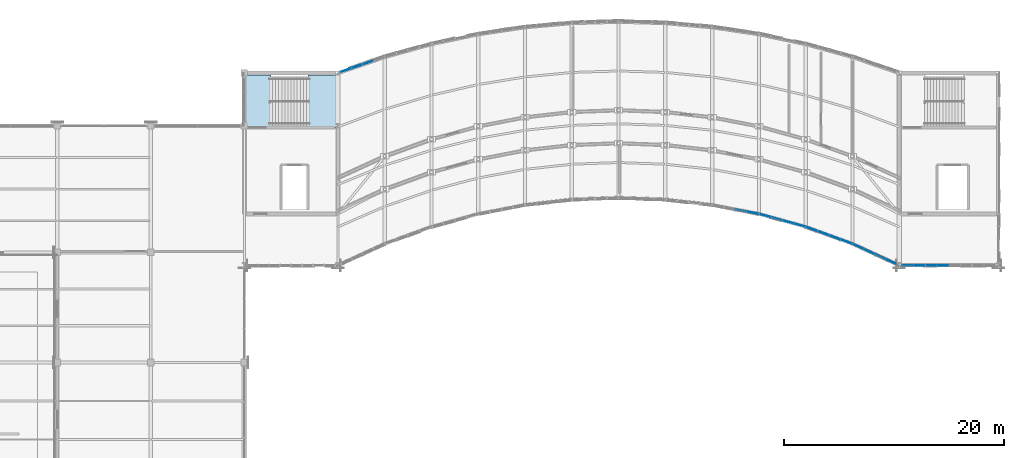
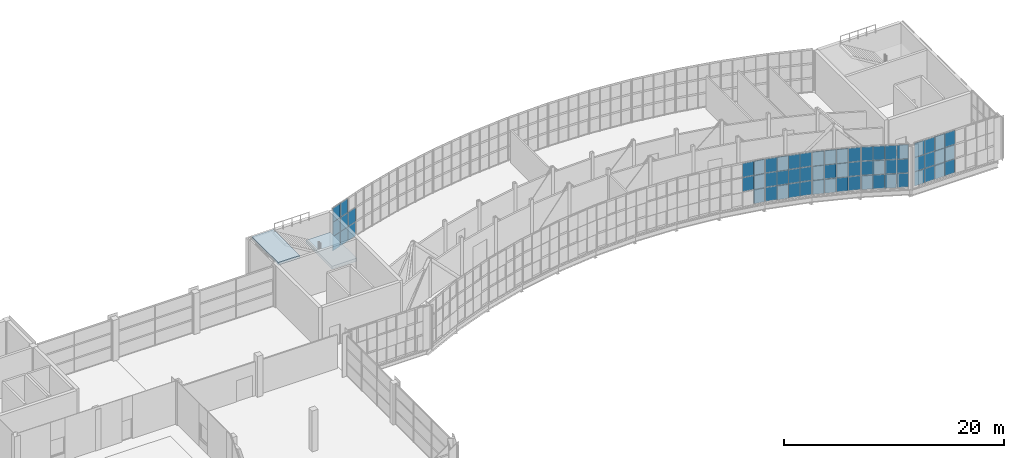
# One storey, part 36 of 46: 61 plates, 2 slabs, 7 elements without a shape of their own.
"""IFC4 building model written with IfcOpenShell, lengths in metres."""

import ifcopenshell
import ifcopenshell.guid

model = None  # the IFC model being written
_history = None  # IfcOwnerHistory: only IFC2X3 demands one
_inside = {}  # id of a spatial element -> (the spatial element, [elements in it])
_under = {}  # id of a project, library or spatial element -> (it, [spatial elements below it])
_declared = {}  # id of a project -> (the project, [libraries it declares])
_typed = {}  # id of a type object -> (the type object, [elements of that type])
_made_of = {}  # id of a material, layer set ... -> (it, [elements and type objects made of it])


def new_model(schema):
    """Start an empty IFC model of exactly this schema.

    Asked for "IFC4X3", IfcOpenShell would pick the latest addendum, in which some entities
    have other attributes; the version numbers below select the first issue.
    IFC2X3 requires an IfcOwnerHistory on every rooted entity: one is made here for all.
    """
    global model, _history
    if schema == "IFC4X3":
        model = ifcopenshell.file(schema_version=(4, 3, 0, 0))
    else:
        model = ifcopenshell.file(schema=schema)
    _inside.clear()
    _under.clear()
    _declared.clear()
    _typed.clear()
    _made_of.clear()
    _history = None
    if model.schema == "IFC2X3":
        org = make("IfcOrganization", Name="unknown")
        user = make(
            "IfcPersonAndOrganization",
            ThePerson=make("IfcPerson", FamilyName="unknown"),
            TheOrganization=org,
        )
        app = make(
            "IfcApplication",
            ApplicationDeveloper=org,
            Version="unknown",
            ApplicationFullName="unknown",
            ApplicationIdentifier="unknown",
        )
        _history = make(
            "IfcOwnerHistory",
            OwningUser=user,
            OwningApplication=app,
            ChangeAction="ADDED",
            CreationDate=0,
        )
    return model


def make(cls, **values):
    """One entity of the class cls with the attributes given. An attribute that is None is left unset."""
    return model.create_entity(
        cls, **{name: value for name, value in values.items() if value is not None}
    )


def rooted(cls, **values):
    """An entity with a GlobalId (a new one), such as an element, a storey or a relation."""
    return make(cls, GlobalId=ifcopenshell.guid.new(), OwnerHistory=_history, **values)


def si_unit(unit_type, name, prefix=None):
    """IfcSIUnit, for example si_unit("LENGTHUNIT", "METRE", prefix="MILLI")."""
    return make("IfcSIUnit", UnitType=unit_type, Prefix=prefix, Name=name)


def assignment(units):
    """IfcUnitAssignment: the units of a project."""
    return None if units is None else make("IfcUnitAssignment", Units=units)


def point(xyz):
    """IfcCartesianPoint."""
    return None if xyz is None else make("IfcCartesianPoint", Coordinates=xyz)


def direction(xyz):
    """IfcDirection."""
    return None if xyz is None else make("IfcDirection", DirectionRatios=xyz)


def frame(location, z_axis=None, x_axis=None):
    """IfcAxis2Placement3D, a coordinate frame: its origin and axes. An axis left out is left unset."""
    return make(
        "IfcAxis2Placement3D",
        Location=point(location),
        Axis=direction(z_axis),
        RefDirection=direction(x_axis),
    )


def frame_2d(location, x_axis=None):
    """IfcAxis2Placement2D, a coordinate frame in the plane: its origin and x axis."""
    return make(
        "IfcAxis2Placement2D", Location=point(location), RefDirection=direction(x_axis)
    )


def origin():
    """The frame at (0, 0, 0) with its axes left unset."""
    return frame((0.0, 0.0, 0.0))


def origin_2d():
    """The frame at (0, 0) in the plane with its x axis left unset."""
    return frame_2d((0.0, 0.0))


def place(relative_to, where):
    """IfcLocalPlacement: puts the frame where relative to a parent placement (None: the world)."""
    return make(
        "IfcLocalPlacement", PlacementRelTo=relative_to, RelativePlacement=where
    )


def context(
    kind, dimensions, precision=None, world=None, true_north=None, identifier=None
):
    """IfcGeometricRepresentationContext, for example the 3D "Model" context."""
    return make(
        "IfcGeometricRepresentationContext",
        ContextIdentifier=identifier,
        ContextType=kind,
        CoordinateSpaceDimension=dimensions,
        Precision=precision,
        WorldCoordinateSystem=world,
        TrueNorth=true_north,
    )


def subcontext(parent, identifier, kind, view, scale=None):
    """IfcGeometricRepresentationSubContext, for example "Body" below "Model"."""
    return make(
        "IfcGeometricRepresentationSubContext",
        ContextIdentifier=identifier,
        ContextType=kind,
        ParentContext=parent,
        TargetScale=scale,
        TargetView=view,
    )


def project(units=None, contexts=None):
    """IfcProject with its units and contexts."""
    return rooted(
        "IfcProject",
        Name="project",
        RepresentationContexts=contexts,
        UnitsInContext=assignment(units),
    )


def spatial(cls, under=None, at=None, **own):
    """A site, building, storey or space (cls), placed at a placement, below another one or the project."""
    s = rooted(cls, ObjectPlacement=at, **own)
    if under is not None:
        _under.setdefault(under.id(), (under, []))[1].append(s)
    return s


def polyline(points):
    """IfcPolyline through the points."""
    return make("IfcPolyline", Points=[point(p) for p in points])


def profile(cls, at=None, kind="AREA", **sizes):
    """A parametric profile (cls). Its sizes go by their IFC names, for example OverallWidth=200.0."""
    return make(cls, ProfileType=kind, Position=at, **sizes)


def rectangle(**sizes):
    """IfcRectangleProfileDef."""
    return profile("IfcRectangleProfileDef", **sizes)


def outline(outer, holes=None, kind="AREA"):
    """IfcArbitraryClosedProfileDef: a profile drawn as a closed curve; with holes, ...WithVoids."""
    if holes is None:
        return make("IfcArbitraryClosedProfileDef", ProfileType=kind, OuterCurve=outer)
    return make(
        "IfcArbitraryProfileDefWithVoids",
        ProfileType=kind,
        OuterCurve=outer,
        InnerCurves=holes,
    )


def extrude(swept, where, along, depth):
    """IfcExtrudedAreaSolid: the profile swept, set in the frame where, extruded along a direction by depth."""
    return make(
        "IfcExtrudedAreaSolid",
        SweptArea=swept,
        Position=where,
        ExtrudedDirection=direction(along),
        Depth=depth,
    )


def shape(context_of_items, identifier, shape_type, items):
    """IfcShapeRepresentation: the items that make up one representation, for example the "Body"."""
    return make(
        "IfcShapeRepresentation",
        ContextOfItems=context_of_items,
        RepresentationIdentifier=identifier,
        RepresentationType=shape_type,
        Items=items,
    )


def material(Name=None, Category=None):
    """IfcMaterial."""
    return make("IfcMaterial", Name=Name, Category=Category)


def layer(
    of_material, thickness, ventilated=None, Name=None, Category=None, Priority=None
):
    """IfcMaterialLayer: one layer of a wall or slab, of a material (None: an air gap)."""
    return make(
        "IfcMaterialLayer",
        Material=of_material,
        LayerThickness=thickness,
        IsVentilated=ventilated,
        Name=Name,
        Category=Category,
        Priority=Priority,
    )


def layer_set(layers, Name=None):
    """IfcMaterialLayerSet."""
    return make("IfcMaterialLayerSet", MaterialLayers=layers, LayerSetName=Name)


def made_of(thing, what):
    """Note that an element or type object is made of a material, layer set ...; save() writes the relation."""
    if what is not None:
        _made_of.setdefault(what.id(), (what, []))[1].append(thing)
    return thing


def type_object(cls, material=None, **own):
    """A type object (cls), such as IfcWallType, which elements share."""
    return made_of(rooted(cls, **own), material)


def element(
    cls,
    number,
    at=None,
    inside=None,
    cuts=None,
    type_object=None,
    material=None,
    context=None,
    identifier="Body",
    shape_type=None,
    held_by="IfcProductDefinitionShape",
    body=None,
    shapes=None,
    **own,
):
    """One element of the class cls, such as IfcWall. Its Tag is "e" and its number.

    at: its placement. inside: the storey or other place that contains it. cuts: it is an
    opening in that element (IfcRelVoidsElement). A single representation is given by context,
    identifier, shape_type and body (its items); several are given by shapes. held_by: the class
    of the entity that holds the representations. save() writes the other relations.
    """
    e = rooted(cls, Tag="e%d" % number, ObjectPlacement=at, **own)
    if body is not None:
        shapes = [shape(context, identifier, shape_type, body)]
    if shapes is not None:
        e.Representation = make(held_by, Representations=shapes)
    if inside is not None:
        _inside.setdefault(inside.id(), (inside, []))[1].append(e)
    if cuts is not None:
        rooted(
            "IfcRelVoidsElement", RelatingBuildingElement=cuts, RelatedOpeningElement=e
        )
    if type_object is not None:
        _typed.setdefault(type_object.id(), (type_object, []))[1].append(e)
    return made_of(e, material)


def aggregate(whole, parts):
    """IfcRelAggregates: a whole, such as a stair, and the parts it consists of."""
    return rooted("IfcRelAggregates", RelatingObject=whole, RelatedObjects=parts)


def save(model, path):
    """Write the relations noted so far, then the file.

    IfcRelAggregates (storeys below a building ...), IfcRelContainedInSpatialStructure (elements
    in a storey), IfcRelDefinesByType, IfcRelAssociatesMaterial and IfcRelDeclares: one each for
    every whole, place, type object, material and project.
    """
    for whole, parts in _under.values():
        aggregate(whole, parts)
    for where, things in _inside.values():
        rooted(
            "IfcRelContainedInSpatialStructure",
            RelatedElements=things,
            RelatingStructure=where,
        )
    for kind, things in _typed.values():
        rooted("IfcRelDefinesByType", RelatedObjects=things, RelatingType=kind)
    for what, things in _made_of.values():
        rooted("IfcRelAssociatesMaterial", RelatedObjects=things, RelatingMaterial=what)
    for by, libraries in _declared.values():
        rooted("IfcRelDeclares", RelatingContext=by, RelatedDefinitions=libraries)
    model.write(path)


model = new_model("IFC4")

# Units and contexts
model_context = context("Model", 3, precision=1e-05, world=origin(), true_north=direction((0.0, 1.0)))
body_context = subcontext(model_context, "Body", "Model", "MODEL_VIEW")
ifc_project = project(units=[si_unit("LENGTHUNIT", "METRE"), si_unit("AREAUNIT", "SQUARE_METRE"), si_unit("VOLUMEUNIT", "CUBIC_METRE"), si_unit("PLANEANGLEUNIT", "RADIAN"), si_unit("MASSUNIT", "GRAM", prefix="KILO")], contexts=[model_context])

# Site, building, storey
site_placement = place(None, origin())
site = spatial("IfcSite", under=ifc_project, at=site_placement, CompositionType="ELEMENT")
building_placement = place(site_placement, origin())
building = spatial("IfcBuilding", under=site, at=building_placement, Name="Solvikara Media Centre", CompositionType="ELEMENT")
storey_placement = place(building_placement, frame((0.0, 0.0, 24.60009765625)))
storey = spatial("IfcBuildingStorey", under=building, at=storey_placement, Name="L05", CompositionType="ELEMENT", Elevation=24.60009765625)

# Curtain wall, plates
ifc_material_1 = material(Name="Anodised aluminium EN AW-6063", Category="aluminium")
curtain_wall_type_1 = type_object("IfcCurtainWallType", Name="CW-01", PredefinedType="NOTDEFINED", material=ifc_material_1)
curtain_wall_1_placement = place(storey_placement, origin())
curtain_wall_1 = element("IfcCurtainWall", 1, at=curtain_wall_1_placement, inside=storey, type_object=curtain_wall_type_1, Name="CW-L05-SARC-08", PredefinedType="NOTDEFINED")
ifc_material_2 = material(Name="Laminated solar-control cyan vision glass", Category="glass")
ifc_layer_1 = layer(ifc_material_2, 0.035888671875)
ifc_layer_set_1 = layer_set([ifc_layer_1], Name="Laminated solar-control cyan vision glass")
plate_type_1 = type_object("IfcPlateType", Name="PN-01", PredefinedType="CURTAIN_PANEL", material=ifc_layer_set_1)
plate_1_placement = place(storey_placement, frame((114.193115234375, 24.10400390625, 0.03466796875), z_axis=(0.0, 0.0, 1.0), x_axis=(0.981843017659, -0.189695252114, 0.0)))
plate_1 = element("IfcPlate", 2, at=plate_1_placement, type_object=plate_type_1, Name="CW-L05-SARC-08-P0300", PredefinedType="CURTAIN_PANEL", context=body_context, shape_type="SweptSolid", body=[
    extrude(rectangle(XDim=1.034912109375, YDim=0.035888671875, at=origin_2d()), origin(), (0.0, 0.0, 1.0), 1.556884765625),
])
plate_2_placement = place(storey_placement, frame((114.193115234375, 24.10400390625, 1.62158203125), z_axis=(0.0, 0.0, 1.0), x_axis=(0.981843017659, -0.189695252114, 0.0)))
plate_2 = element("IfcPlate", 3, at=plate_2_placement, type_object=plate_type_1, Name="CW-L05-SARC-08-P0301", PredefinedType="CURTAIN_PANEL", context=body_context, shape_type="SweptSolid", body=[
    extrude(rectangle(XDim=1.034912109375, YDim=0.035888671875, at=origin_2d()), origin(), (0.0, 0.0, 1.0), 1.556884765625),
])
plate_3_placement = place(storey_placement, frame((114.193115234375, 24.10400390625, 3.20849609375), z_axis=(0.0, 0.0, 1.0), x_axis=(0.981843017659, -0.189695252114, 0.0)))
plate_3 = element("IfcPlate", 4, at=plate_3_placement, type_object=plate_type_1, Name="CW-L05-SARC-08-P0302", PredefinedType="CURTAIN_PANEL", context=body_context, shape_type="SweptSolid", body=[
    extrude(rectangle(XDim=1.034912109375, YDim=0.035888671875, at=origin_2d()), origin(), (0.0, 0.0, 1.0), 1.556884765625),
])

curtain_wall_2_placement = place(storey_placement, origin())
curtain_wall_2 = element("IfcCurtainWall", 5, at=curtain_wall_2_placement, inside=storey, type_object=curtain_wall_type_1, Name="CW-L05-SARC-09", PredefinedType="NOTDEFINED")
plate_4_placement = place(storey_placement, frame((115.305908203125, 23.843017578125, 0.03466796875), z_axis=(0.0, 0.0, 1.0), x_axis=(0.96397015682, -0.26601040724, 0.0)))
plate_4 = element("IfcPlate", 6, at=plate_4_placement, type_object=plate_type_1, Name="CW-L05-SARC-09-P0000", PredefinedType="CURTAIN_PANEL", context=body_context, shape_type="SweptSolid", body=[
    extrude(rectangle(XDim=1.054931640625, YDim=0.035888671875, at=origin_2d()), origin(), (0.0, 0.0, 1.0), 1.556884765625),
])
plate_5_placement = place(storey_placement, frame((118.443115234375, 22.97705078125, 0.03466796875), z_axis=(0.0, 0.0, 1.0), x_axis=(0.96397015682, -0.26601040724, 0.0)))
plate_5 = element("IfcPlate", 7, at=plate_5_placement, type_object=plate_type_1, Name="CW-L05-SARC-09-P0300", PredefinedType="CURTAIN_PANEL", context=body_context, shape_type="SweptSolid", body=[
    extrude(rectangle(XDim=1.054931640625, YDim=0.035888671875, at=origin_2d()), origin(), (0.0, 0.0, 1.0), 1.556884765625),
])
plate_6_placement = place(storey_placement, frame((118.443115234375, 22.97705078125, 3.20849609375), z_axis=(0.0, 0.0, 1.0), x_axis=(0.96397015682, -0.26601040724, 0.0)))
plate_6 = element("IfcPlate", 8, at=plate_6_placement, type_object=plate_type_1, Name="CW-L05-SARC-09-P0302", PredefinedType="CURTAIN_PANEL", context=body_context, shape_type="SweptSolid", body=[
    extrude(rectangle(XDim=1.054931640625, YDim=0.035888671875, at=origin_2d()), origin(), (0.0, 0.0, 1.0), 1.556884765625),
])

curtain_wall_3_placement = place(storey_placement, origin())
curtain_wall_3 = element("IfcCurtainWall", 9, at=curtain_wall_3_placement, inside=storey, type_object=curtain_wall_type_1, Name="CW-L05-SARC-10", PredefinedType="NOTDEFINED")
plate_7_placement = place(storey_placement, frame((119.555908203125, 22.6220703125, 0.03466796875), z_axis=(0.0, 0.0, 1.0), x_axis=(0.939823877818, -0.341659302058, 0.0)))
plate_7 = element("IfcPlate", 10, at=plate_7_placement, type_object=plate_type_1, Name="CW-L05-SARC-10-P0000", PredefinedType="CURTAIN_PANEL", context=body_context, shape_type="SweptSolid", body=[
    extrude(rectangle(XDim=1.0830078125, YDim=0.035888671875, at=origin_2d()), origin(), (0.0, 0.0, 1.0), 1.556884765625),
])
plate_8_placement = place(storey_placement, frame((120.60205078125, 22.241943359375, 0.03466796875), z_axis=(0.0, 0.0, 1.0), x_axis=(0.939823877818, -0.341659302058, 0.0)))
plate_8 = element("IfcPlate", 11, at=plate_8_placement, type_object=plate_type_1, Name="CW-L05-SARC-10-P0100", PredefinedType="CURTAIN_PANEL", context=body_context, shape_type="SweptSolid", body=[
    extrude(rectangle(XDim=1.0830078125, YDim=0.035888671875, at=origin_2d()), origin(), (0.0, 0.0, 1.0), 1.556884765625),
])
plate_9_placement = place(storey_placement, frame((121.64794921875, 21.862060546875, 1.62158203125), z_axis=(0.0, 0.0, 1.0), x_axis=(0.939823877818, -0.341659302058, 0.0)))
plate_9 = element("IfcPlate", 12, at=plate_9_placement, type_object=plate_type_1, Name="CW-L05-SARC-10-P0201", PredefinedType="CURTAIN_PANEL", context=body_context, shape_type="SweptSolid", body=[
    extrude(rectangle(XDim=1.0830078125, YDim=0.035888671875, at=origin_2d()), origin(), (0.0, 0.0, 1.0), 1.556884765625),
])
plate_10_placement = place(storey_placement, frame((122.694091796875, 21.48095703125, 3.20849609375), z_axis=(0.0, 0.0, 1.0), x_axis=(0.939823877818, -0.341659302058, 0.0)))
plate_10 = element("IfcPlate", 13, at=plate_10_placement, type_object=plate_type_1, Name="CW-L05-SARC-10-P0302", PredefinedType="CURTAIN_PANEL", context=body_context, shape_type="SweptSolid", body=[
    extrude(rectangle(XDim=1.0830078125, YDim=0.035888671875, at=origin_2d()), origin(), (0.0, 0.0, 1.0), 1.556884765625),
])

curtain_wall_4_placement = place(storey_placement, origin())
curtain_wall_4 = element("IfcCurtainWall", 14, at=curtain_wall_4_placement, inside=storey, type_object=curtain_wall_type_1, Name="CW-L05-SARC-11", PredefinedType="NOTDEFINED")
plate_11_placement = place(storey_placement, frame((123.77294921875, 21.0380859375, 1.62158203125), z_axis=(0.0, 0.0, 1.0), x_axis=(0.908464413608, -0.417962210264, 0.0)))
plate_11 = element("IfcPlate", 15, at=plate_11_placement, type_object=plate_type_1, Name="CW-L05-SARC-11-P0001", PredefinedType="CURTAIN_PANEL", context=body_context, shape_type="SweptSolid", body=[
    extrude(rectangle(XDim=1.052001953125, YDim=0.035888671875, at=origin_2d()), origin(), (0.0, 0.0, 1.0), 1.556884765625),
])
plate_12_placement = place(storey_placement, frame((123.77294921875, 21.0380859375, 3.20849609375), z_axis=(0.0, 0.0, 1.0), x_axis=(0.908464413608, -0.417962210264, 0.0)))
plate_12 = element("IfcPlate", 16, at=plate_12_placement, type_object=plate_type_1, Name="CW-L05-SARC-11-P0002", PredefinedType="CURTAIN_PANEL", context=body_context, shape_type="SweptSolid", body=[
    extrude(rectangle(XDim=1.052001953125, YDim=0.035888671875, at=origin_2d()), origin(), (0.0, 0.0, 1.0), 1.556884765625),
])
plate_13_placement = place(storey_placement, frame((124.756103515625, 20.5859375, 1.62158203125), z_axis=(0.0, 0.0, 1.0), x_axis=(0.908464413608, -0.417962210264, 0.0)))
plate_13 = element("IfcPlate", 17, at=plate_13_placement, type_object=plate_type_1, Name="CW-L05-SARC-11-P0101", PredefinedType="CURTAIN_PANEL", context=body_context, shape_type="SweptSolid", body=[
    extrude(rectangle(XDim=1.052001953125, YDim=0.035888671875, at=origin_2d()), origin(), (0.0, 0.0, 1.0), 1.556884765625),
])
plate_14_placement = place(storey_placement, frame((124.756103515625, 20.5859375, 3.20849609375), z_axis=(0.0, 0.0, 1.0), x_axis=(0.908464413608, -0.417962210264, 0.0)))
plate_14 = element("IfcPlate", 18, at=plate_14_placement, type_object=plate_type_1, Name="CW-L05-SARC-11-P0102", PredefinedType="CURTAIN_PANEL", context=body_context, shape_type="SweptSolid", body=[
    extrude(rectangle(XDim=1.052001953125, YDim=0.035888671875, at=origin_2d()), origin(), (0.0, 0.0, 1.0), 1.556884765625),
])
plate_15_placement = place(storey_placement, frame((126.721923828125, 19.680908203125, 0.03466796875), z_axis=(0.0, 0.0, 1.0), x_axis=(0.908464413608, -0.417962210264, 0.0)))
plate_15 = element("IfcPlate", 19, at=plate_15_placement, type_object=plate_type_1, Name="CW-L05-SARC-11-P0300", PredefinedType="CURTAIN_PANEL", context=body_context, shape_type="SweptSolid", body=[
    extrude(rectangle(XDim=1.052001953125, YDim=0.035888671875, at=origin_2d()), origin(), (0.0, 0.0, 1.0), 1.556884765625),
])
plate_16_placement = place(storey_placement, frame((126.721923828125, 19.680908203125, 3.20849609375), z_axis=(0.0, 0.0, 1.0), x_axis=(0.908464413608, -0.417962210264, 0.0)))
plate_16 = element("IfcPlate", 20, at=plate_16_placement, type_object=plate_type_1, Name="CW-L05-SARC-11-P0302", PredefinedType="CURTAIN_PANEL", context=body_context, shape_type="SweptSolid", body=[
    extrude(rectangle(XDim=1.052001953125, YDim=0.035888671875, at=origin_2d()), origin(), (0.0, 0.0, 1.0), 1.556884765625),
])

curtain_wall_type_2 = type_object("IfcCurtainWallType", Name="CW-02", PredefinedType="NOTDEFINED", material=ifc_material_1)
curtain_wall_5_placement = place(storey_placement, origin())
curtain_wall_5 = element("IfcCurtainWall", 21, at=curtain_wall_5_placement, inside=storey, type_object=curtain_wall_type_2, Name="CW-L05-NARC-00", PredefinedType="NOTDEFINED")
plate_17_placement = place(storey_placement, frame((77.243896484375, 37.055908203125, 3.20849609375), z_axis=(0.0, 0.0, 1.0), x_axis=(0.945711605144, 0.32500701515, 0.0)))
plate_17 = element("IfcPlate", 22, at=plate_17_placement, type_object=plate_type_1, Name="CW-L05-NARC-00-P0002", PredefinedType="CURTAIN_PANEL", context=body_context, shape_type="SweptSolid", body=[
    extrude(rectangle(XDim=1.01904296875, YDim=0.035888671875, at=origin_2d()), origin(), (0.0, 0.0, 1.0), 1.556884765625),
])
plate_18_placement = place(storey_placement, frame((78.237060546875, 37.39697265625, 3.20849609375), z_axis=(0.0, 0.0, 1.0), x_axis=(0.945711605144, 0.32500701515, 0.0)))
plate_18 = element("IfcPlate", 23, at=plate_18_placement, type_object=plate_type_1, Name="CW-L05-NARC-00-P0102", PredefinedType="CURTAIN_PANEL", context=body_context, shape_type="SweptSolid", body=[
    extrude(rectangle(XDim=1.01904296875, YDim=0.035888671875, at=origin_2d()), origin(), (0.0, 0.0, 1.0), 1.556884765625),
])
plate_19_placement = place(storey_placement, frame((79.22900390625, 37.737060546875, 0.03466796875), z_axis=(0.0, 0.0, 1.0), x_axis=(0.945711605144, 0.32500701515, 0.0)))
plate_19 = element("IfcPlate", 24, at=plate_19_placement, type_object=plate_type_1, Name="CW-L05-NARC-00-P0200", PredefinedType="CURTAIN_PANEL", context=body_context, shape_type="SweptSolid", body=[
    extrude(rectangle(XDim=1.01904296875, YDim=0.035888671875, at=origin_2d()), origin(), (0.0, 0.0, 1.0), 1.556884765625),
])

curtain_wall_type_3 = type_object("IfcCurtainWallType", Name="CW-10", PredefinedType="NOTDEFINED", material=ifc_material_1)
curtain_wall_6_placement = place(storey_placement, origin())
curtain_wall_6 = element("IfcCurtainWall", 25, at=curtain_wall_6_placement, inside=storey, type_object=curtain_wall_type_3, Name="CW-L05-BHES", PredefinedType="NOTDEFINED")
plate_20_placement = place(storey_placement, frame((129.339111328125, 19.323974609375, 0.03466796875), z_axis=(0.0, 0.0, 1.0), x_axis=(1.0, 0.0, 0.0)))
plate_20 = element("IfcPlate", 26, at=plate_20_placement, type_object=plate_type_1, Name="CW-L05-BHES-P0100", PredefinedType="CURTAIN_PANEL", context=body_context, shape_type="SweptSolid", body=[
    extrude(rectangle(XDim=1.033935546875, YDim=0.035888671875, at=origin_2d()), origin(), (0.0, 0.0, 1.0), 1.556884765625),
])
plate_21_placement = place(storey_placement, frame((129.339111328125, 19.323974609375, 1.62158203125), z_axis=(0.0, 0.0, 1.0), x_axis=(1.0, 0.0, 0.0)))
plate_21 = element("IfcPlate", 27, at=plate_21_placement, type_object=plate_type_1, Name="CW-L05-BHES-P0101", PredefinedType="CURTAIN_PANEL", context=body_context, shape_type="SweptSolid", body=[
    extrude(rectangle(XDim=1.033935546875, YDim=0.035888671875, at=origin_2d()), origin(), (0.0, 0.0, 1.0), 1.556884765625),
])
plate_22_placement = place(storey_placement, frame((130.403076171875, 19.323974609375, 0.03466796875), z_axis=(0.0, 0.0, 1.0), x_axis=(1.0, 0.0, 0.0)))
plate_22 = element("IfcPlate", 28, at=plate_22_placement, type_object=plate_type_1, Name="CW-L05-BHES-P0200", PredefinedType="CURTAIN_PANEL", context=body_context, shape_type="SweptSolid", body=[
    extrude(rectangle(XDim=1.033935546875, YDim=0.035888671875, at=origin_2d()), origin(), (0.0, 0.0, 1.0), 1.556884765625),
])
plate_23_placement = place(storey_placement, frame((130.403076171875, 19.323974609375, 1.62158203125), z_axis=(0.0, 0.0, 1.0), x_axis=(1.0, 0.0, 0.0)))
plate_23 = element("IfcPlate", 29, at=plate_23_placement, type_object=plate_type_1, Name="CW-L05-BHES-P0201", PredefinedType="CURTAIN_PANEL", context=body_context, shape_type="SweptSolid", body=[
    extrude(rectangle(XDim=1.033935546875, YDim=0.035888671875, at=origin_2d()), origin(), (0.0, 0.0, 1.0), 1.556884765625),
])
plate_24_placement = place(storey_placement, frame((131.467041015625, 19.323974609375, 1.62158203125), z_axis=(0.0, 0.0, 1.0), x_axis=(1.0, 0.0, 0.0)))
plate_24 = element("IfcPlate", 30, at=plate_24_placement, type_object=plate_type_1, Name="CW-L05-BHES-P0301", PredefinedType="CURTAIN_PANEL", context=body_context, shape_type="SweptSolid", body=[
    extrude(rectangle(XDim=1.033935546875, YDim=0.035888671875, at=origin_2d()), origin(), (0.0, 0.0, 1.0), 1.556884765625),
])

# Plate
ifc_material_3 = material(Name="Ceramic-fritted teal low-E glass", Category="glass")
ifc_layer_2 = layer(ifc_material_3, 0.0419921875)
ifc_layer_set_2 = layer_set([ifc_layer_2], Name="Ceramic-fritted teal low-E glass")
plate_type_2 = type_object("IfcPlateType", Name="PN-02", PredefinedType="CURTAIN_PANEL", material=ifc_layer_set_2)
plate_25_placement = place(storey_placement, frame((113.14794921875, 24.305908203125, 1.62158203125), z_axis=(0.0, 0.0, 1.0), x_axis=(0.981843017659, -0.189695252114, 0.0)))
plate_25 = element("IfcPlate", 31, at=plate_25_placement, type_object=plate_type_2, Name="CW-L05-SARC-08-P0201", PredefinedType="CURTAIN_PANEL", context=body_context, shape_type="SweptSolid", body=[
    extrude(rectangle(XDim=1.034912109375, YDim=0.0419921875, at=origin_2d()), origin(), (0.0, 0.0, 1.0), 1.556884765625),
])

plate_26_placement = place(storey_placement, frame((113.14794921875, 24.305908203125, 3.20849609375), z_axis=(0.0, 0.0, 1.0), x_axis=(0.981843017659, -0.189695252114, 0.0)))
plate_26 = element("IfcPlate", 32, at=plate_26_placement, type_object=plate_type_2, Name="CW-L05-SARC-08-P0202", PredefinedType="CURTAIN_PANEL", context=body_context, shape_type="SweptSolid", body=[
    extrude(rectangle(XDim=1.034912109375, YDim=0.0419921875, at=origin_2d()), origin(), (0.0, 0.0, 1.0), 1.556884765625),
])

aggregate(curtain_wall_1, [plate_25, plate_26, plate_1, plate_2, plate_3])

plate_27_placement = place(storey_placement, frame((115.305908203125, 23.843017578125, 1.62158203125), z_axis=(0.0, 0.0, 1.0), x_axis=(0.96397015682, -0.26601040724, 0.0)))
plate_27 = element("IfcPlate", 33, at=plate_27_placement, type_object=plate_type_2, Name="CW-L05-SARC-09-P0001", PredefinedType="CURTAIN_PANEL", context=body_context, shape_type="SweptSolid", body=[
    extrude(rectangle(XDim=1.054931640625, YDim=0.0419921875, at=origin_2d()), origin(), (0.0, 0.0, 1.0), 1.556884765625),
])

plate_28_placement = place(storey_placement, frame((116.35205078125, 23.553955078125, 1.62158203125), z_axis=(0.0, 0.0, 1.0), x_axis=(0.96397015682, -0.26601040724, 0.0)))
plate_28 = element("IfcPlate", 34, at=plate_28_placement, type_object=plate_type_2, Name="CW-L05-SARC-09-P0101", PredefinedType="CURTAIN_PANEL", context=body_context, shape_type="SweptSolid", body=[
    extrude(rectangle(XDim=1.054931640625, YDim=0.0419921875, at=origin_2d()), origin(), (0.0, 0.0, 1.0), 1.556884765625),
])

plate_29_placement = place(storey_placement, frame((117.39697265625, 23.26611328125, 0.03466796875), z_axis=(0.0, 0.0, 1.0), x_axis=(0.96397015682, -0.26601040724, 0.0)))
plate_29 = element("IfcPlate", 35, at=plate_29_placement, type_object=plate_type_2, Name="CW-L05-SARC-09-P0200", PredefinedType="CURTAIN_PANEL", context=body_context, shape_type="SweptSolid", body=[
    extrude(rectangle(XDim=1.054931640625, YDim=0.0419921875, at=origin_2d()), origin(), (0.0, 0.0, 1.0), 1.556884765625),
])

plate_30_placement = place(storey_placement, frame((117.39697265625, 23.26611328125, 1.62158203125), z_axis=(0.0, 0.0, 1.0), x_axis=(0.96397015682, -0.26601040724, 0.0)))
plate_30 = element("IfcPlate", 36, at=plate_30_placement, type_object=plate_type_2, Name="CW-L05-SARC-09-P0201", PredefinedType="CURTAIN_PANEL", context=body_context, shape_type="SweptSolid", body=[
    extrude(rectangle(XDim=1.054931640625, YDim=0.0419921875, at=origin_2d()), origin(), (0.0, 0.0, 1.0), 1.556884765625),
])

plate_31_placement = place(storey_placement, frame((118.443115234375, 22.97705078125, 1.62158203125), z_axis=(0.0, 0.0, 1.0), x_axis=(0.96397015682, -0.26601040724, 0.0)))
plate_31 = element("IfcPlate", 37, at=plate_31_placement, type_object=plate_type_2, Name="CW-L05-SARC-09-P0301", PredefinedType="CURTAIN_PANEL", context=body_context, shape_type="SweptSolid", body=[
    extrude(rectangle(XDim=1.054931640625, YDim=0.0419921875, at=origin_2d()), origin(), (0.0, 0.0, 1.0), 1.556884765625),
])

plate_32_placement = place(storey_placement, frame((119.555908203125, 22.6220703125, 1.62158203125), z_axis=(0.0, 0.0, 1.0), x_axis=(0.939823877818, -0.341659302058, 0.0)))
plate_32 = element("IfcPlate", 38, at=plate_32_placement, type_object=plate_type_2, Name="CW-L05-SARC-10-P0001", PredefinedType="CURTAIN_PANEL", context=body_context, shape_type="SweptSolid", body=[
    extrude(rectangle(XDim=1.0830078125, YDim=0.0419921875, at=origin_2d()), origin(), (0.0, 0.0, 1.0), 1.556884765625),
])

plate_33_placement = place(storey_placement, frame((120.60205078125, 22.241943359375, 1.62158203125), z_axis=(0.0, 0.0, 1.0), x_axis=(0.939823877818, -0.341659302058, 0.0)))
plate_33 = element("IfcPlate", 39, at=plate_33_placement, type_object=plate_type_2, Name="CW-L05-SARC-10-P0101", PredefinedType="CURTAIN_PANEL", context=body_context, shape_type="SweptSolid", body=[
    extrude(rectangle(XDim=1.0830078125, YDim=0.0419921875, at=origin_2d()), origin(), (0.0, 0.0, 1.0), 1.556884765625),
])

plate_34_placement = place(storey_placement, frame((121.64794921875, 21.862060546875, 0.03466796875), z_axis=(0.0, 0.0, 1.0), x_axis=(0.939823877818, -0.341659302058, 0.0)))
plate_34 = element("IfcPlate", 40, at=plate_34_placement, type_object=plate_type_2, Name="CW-L05-SARC-10-P0200", PredefinedType="CURTAIN_PANEL", context=body_context, shape_type="SweptSolid", body=[
    extrude(rectangle(XDim=1.0830078125, YDim=0.0419921875, at=origin_2d()), origin(), (0.0, 0.0, 1.0), 1.556884765625),
])

plate_35_placement = place(storey_placement, frame((122.694091796875, 21.48095703125, 0.03466796875), z_axis=(0.0, 0.0, 1.0), x_axis=(0.939823877818, -0.341659302058, 0.0)))
plate_35 = element("IfcPlate", 41, at=plate_35_placement, type_object=plate_type_2, Name="CW-L05-SARC-10-P0300", PredefinedType="CURTAIN_PANEL", context=body_context, shape_type="SweptSolid", body=[
    extrude(rectangle(XDim=1.0830078125, YDim=0.0419921875, at=origin_2d()), origin(), (0.0, 0.0, 1.0), 1.556884765625),
])

plate_36_placement = place(storey_placement, frame((123.77294921875, 21.0380859375, 0.03466796875), z_axis=(0.0, 0.0, 1.0), x_axis=(0.908464413608, -0.417962210264, 0.0)))
plate_36 = element("IfcPlate", 42, at=plate_36_placement, type_object=plate_type_2, Name="CW-L05-SARC-11-P0000", PredefinedType="CURTAIN_PANEL", context=body_context, shape_type="SweptSolid", body=[
    extrude(rectangle(XDim=1.052001953125, YDim=0.0419921875, at=origin_2d()), origin(), (0.0, 0.0, 1.0), 1.556884765625),
])

plate_37_placement = place(storey_placement, frame((124.756103515625, 20.5859375, 0.03466796875), z_axis=(0.0, 0.0, 1.0), x_axis=(0.908464413608, -0.417962210264, 0.0)))
plate_37 = element("IfcPlate", 43, at=plate_37_placement, type_object=plate_type_2, Name="CW-L05-SARC-11-P0100", PredefinedType="CURTAIN_PANEL", context=body_context, shape_type="SweptSolid", body=[
    extrude(rectangle(XDim=1.052001953125, YDim=0.0419921875, at=origin_2d()), origin(), (0.0, 0.0, 1.0), 1.556884765625),
])

plate_38_placement = place(storey_placement, frame((125.739013671875, 20.133056640625, 0.03466796875), z_axis=(0.0, 0.0, 1.0), x_axis=(0.908464413608, -0.417962210264, 0.0)))
plate_38 = element("IfcPlate", 44, at=plate_38_placement, type_object=plate_type_2, Name="CW-L05-SARC-11-P0200", PredefinedType="CURTAIN_PANEL", context=body_context, shape_type="SweptSolid", body=[
    extrude(rectangle(XDim=1.052001953125, YDim=0.0419921875, at=origin_2d()), origin(), (0.0, 0.0, 1.0), 1.556884765625),
])

plate_39_placement = place(storey_placement, frame((125.739013671875, 20.133056640625, 1.62158203125), z_axis=(0.0, 0.0, 1.0), x_axis=(0.908464413608, -0.417962210264, 0.0)))
plate_39 = element("IfcPlate", 45, at=plate_39_placement, type_object=plate_type_2, Name="CW-L05-SARC-11-P0201", PredefinedType="CURTAIN_PANEL", context=body_context, shape_type="SweptSolid", body=[
    extrude(rectangle(XDim=1.052001953125, YDim=0.0419921875, at=origin_2d()), origin(), (0.0, 0.0, 1.0), 1.556884765625),
])

plate_40_placement = place(storey_placement, frame((128.27490234375, 19.323974609375, 0.03466796875), z_axis=(0.0, 0.0, 1.0), x_axis=(1.0, 0.0, 0.0)))
plate_40 = element("IfcPlate", 46, at=plate_40_placement, type_object=plate_type_2, Name="CW-L05-BHES-P0000", PredefinedType="CURTAIN_PANEL", context=body_context, shape_type="SweptSolid", body=[
    extrude(rectangle(XDim=1.033935546875, YDim=0.0419921875, at=origin_2d()), origin(), (0.0, 0.0, 1.0), 1.556884765625),
])

plate_41_placement = place(storey_placement, frame((128.27490234375, 19.323974609375, 1.62158203125), z_axis=(0.0, 0.0, 1.0), x_axis=(1.0, 0.0, 0.0)))
plate_41 = element("IfcPlate", 47, at=plate_41_placement, type_object=plate_type_2, Name="CW-L05-BHES-P0001", PredefinedType="CURTAIN_PANEL", context=body_context, shape_type="SweptSolid", body=[
    extrude(rectangle(XDim=1.033935546875, YDim=0.0419921875, at=origin_2d()), origin(), (0.0, 0.0, 1.0), 1.556884765625),
])

plate_42_placement = place(storey_placement, frame((128.27490234375, 19.323974609375, 3.20849609375), z_axis=(0.0, 0.0, 1.0), x_axis=(1.0, 0.0, 0.0)))
plate_42 = element("IfcPlate", 48, at=plate_42_placement, type_object=plate_type_2, Name="CW-L05-BHES-P0002", PredefinedType="CURTAIN_PANEL", context=body_context, shape_type="SweptSolid", body=[
    extrude(rectangle(XDim=1.033935546875, YDim=0.0419921875, at=origin_2d()), origin(), (0.0, 0.0, 1.0), 1.556884765625),
])

plate_43_placement = place(storey_placement, frame((129.339111328125, 19.323974609375, 3.20849609375), z_axis=(0.0, 0.0, 1.0), x_axis=(1.0, 0.0, 0.0)))
plate_43 = element("IfcPlate", 49, at=plate_43_placement, type_object=plate_type_2, Name="CW-L05-BHES-P0102", PredefinedType="CURTAIN_PANEL", context=body_context, shape_type="SweptSolid", body=[
    extrude(rectangle(XDim=1.033935546875, YDim=0.0419921875, at=origin_2d()), origin(), (0.0, 0.0, 1.0), 1.556884765625),
])

plate_44_placement = place(storey_placement, frame((130.403076171875, 19.323974609375, 3.20849609375), z_axis=(0.0, 0.0, 1.0), x_axis=(1.0, 0.0, 0.0)))
plate_44 = element("IfcPlate", 50, at=plate_44_placement, type_object=plate_type_2, Name="CW-L05-BHES-P0202", PredefinedType="CURTAIN_PANEL", context=body_context, shape_type="SweptSolid", body=[
    extrude(rectangle(XDim=1.033935546875, YDim=0.0419921875, at=origin_2d()), origin(), (0.0, 0.0, 1.0), 1.556884765625),
])

plate_45_placement = place(storey_placement, frame((131.467041015625, 19.323974609375, 0.03466796875), z_axis=(0.0, 0.0, 1.0), x_axis=(1.0, 0.0, 0.0)))
plate_45 = element("IfcPlate", 51, at=plate_45_placement, type_object=plate_type_2, Name="CW-L05-BHES-P0300", PredefinedType="CURTAIN_PANEL", context=body_context, shape_type="SweptSolid", body=[
    extrude(rectangle(XDim=1.033935546875, YDim=0.0419921875, at=origin_2d()), origin(), (0.0, 0.0, 1.0), 1.556884765625),
])

ifc_material_4 = material(Name="Insulated silver-pearl glass spandrel panel", Category="glass")
ifc_layer_3 = layer(ifc_material_4, 0.054931640625)
ifc_layer_set_3 = layer_set([ifc_layer_3], Name="Insulated silver-pearl glass spandrel panel")
plate_type_3 = type_object("IfcPlateType", Name="PN-03", PredefinedType="CURTAIN_PANEL", material=ifc_layer_set_3)
plate_46_placement = place(storey_placement, frame((115.305908203125, 23.843017578125, 3.20849609375), z_axis=(0.0, 0.0, 1.0), x_axis=(0.96397015682, -0.26601040724, 0.0)))
plate_46 = element("IfcPlate", 52, at=plate_46_placement, type_object=plate_type_3, Name="CW-L05-SARC-09-P0002", PredefinedType="CURTAIN_PANEL", context=body_context, shape_type="SweptSolid", body=[
    extrude(rectangle(XDim=1.054931640625, YDim=0.054931640625, at=origin_2d()), origin(), (0.0, 0.0, 1.0), 1.556884765625),
])

plate_47_placement = place(storey_placement, frame((116.35205078125, 23.553955078125, 0.03466796875), z_axis=(0.0, 0.0, 1.0), x_axis=(0.96397015682, -0.26601040724, 0.0)))
plate_47 = element("IfcPlate", 53, at=plate_47_placement, type_object=plate_type_3, Name="CW-L05-SARC-09-P0100", PredefinedType="CURTAIN_PANEL", context=body_context, shape_type="SweptSolid", body=[
    extrude(rectangle(XDim=1.054931640625, YDim=0.054931640625, at=origin_2d()), origin(), (0.0, 0.0, 1.0), 1.556884765625),
])

plate_48_placement = place(storey_placement, frame((116.35205078125, 23.553955078125, 3.20849609375), z_axis=(0.0, 0.0, 1.0), x_axis=(0.96397015682, -0.26601040724, 0.0)))
plate_48 = element("IfcPlate", 54, at=plate_48_placement, type_object=plate_type_3, Name="CW-L05-SARC-09-P0102", PredefinedType="CURTAIN_PANEL", context=body_context, shape_type="SweptSolid", body=[
    extrude(rectangle(XDim=1.054931640625, YDim=0.054931640625, at=origin_2d()), origin(), (0.0, 0.0, 1.0), 1.556884765625),
])

plate_49_placement = place(storey_placement, frame((117.39697265625, 23.26611328125, 3.20849609375), z_axis=(0.0, 0.0, 1.0), x_axis=(0.96397015682, -0.26601040724, 0.0)))
plate_49 = element("IfcPlate", 55, at=plate_49_placement, type_object=plate_type_3, Name="CW-L05-SARC-09-P0202", PredefinedType="CURTAIN_PANEL", context=body_context, shape_type="SweptSolid", body=[
    extrude(rectangle(XDim=1.054931640625, YDim=0.054931640625, at=origin_2d()), origin(), (0.0, 0.0, 1.0), 1.556884765625),
])

aggregate(curtain_wall_2, [plate_4, plate_27, plate_46, plate_47, plate_28, plate_48, plate_29, plate_30, plate_49, plate_5, plate_31, plate_6])

plate_50_placement = place(storey_placement, frame((119.555908203125, 22.6220703125, 3.20849609375), z_axis=(0.0, 0.0, 1.0), x_axis=(0.939823877818, -0.341659302058, 0.0)))
plate_50 = element("IfcPlate", 56, at=plate_50_placement, type_object=plate_type_3, Name="CW-L05-SARC-10-P0002", PredefinedType="CURTAIN_PANEL", context=body_context, shape_type="SweptSolid", body=[
    extrude(rectangle(XDim=1.0830078125, YDim=0.054931640625, at=origin_2d()), origin(), (0.0, 0.0, 1.0), 1.556884765625),
])

plate_51_placement = place(storey_placement, frame((120.60205078125, 22.241943359375, 3.20849609375), z_axis=(0.0, 0.0, 1.0), x_axis=(0.939823877818, -0.341659302058, 0.0)))
plate_51 = element("IfcPlate", 57, at=plate_51_placement, type_object=plate_type_3, Name="CW-L05-SARC-10-P0102", PredefinedType="CURTAIN_PANEL", context=body_context, shape_type="SweptSolid", body=[
    extrude(rectangle(XDim=1.0830078125, YDim=0.054931640625, at=origin_2d()), origin(), (0.0, 0.0, 1.0), 1.556884765625),
])

plate_52_placement = place(storey_placement, frame((121.64794921875, 21.862060546875, 3.20849609375), z_axis=(0.0, 0.0, 1.0), x_axis=(0.939823877818, -0.341659302058, 0.0)))
plate_52 = element("IfcPlate", 58, at=plate_52_placement, type_object=plate_type_3, Name="CW-L05-SARC-10-P0202", PredefinedType="CURTAIN_PANEL", context=body_context, shape_type="SweptSolid", body=[
    extrude(rectangle(XDim=1.0830078125, YDim=0.054931640625, at=origin_2d()), origin(), (0.0, 0.0, 1.0), 1.556884765625),
])

plate_53_placement = place(storey_placement, frame((122.694091796875, 21.48095703125, 1.62158203125), z_axis=(0.0, 0.0, 1.0), x_axis=(0.939823877818, -0.341659302058, 0.0)))
plate_53 = element("IfcPlate", 59, at=plate_53_placement, type_object=plate_type_3, Name="CW-L05-SARC-10-P0301", PredefinedType="CURTAIN_PANEL", context=body_context, shape_type="SweptSolid", body=[
    extrude(rectangle(XDim=1.0830078125, YDim=0.054931640625, at=origin_2d()), origin(), (0.0, 0.0, 1.0), 1.556884765625),
])

aggregate(curtain_wall_3, [plate_7, plate_32, plate_50, plate_8, plate_33, plate_51, plate_34, plate_9, plate_52, plate_35, plate_53, plate_10])

plate_54_placement = place(storey_placement, frame((125.739013671875, 20.133056640625, 3.20849609375), z_axis=(0.0, 0.0, 1.0), x_axis=(0.908464413608, -0.417962210264, 0.0)))
plate_54 = element("IfcPlate", 60, at=plate_54_placement, type_object=plate_type_3, Name="CW-L05-SARC-11-P0202", PredefinedType="CURTAIN_PANEL", context=body_context, shape_type="SweptSolid", body=[
    extrude(rectangle(XDim=1.052001953125, YDim=0.054931640625, at=origin_2d()), origin(), (0.0, 0.0, 1.0), 1.556884765625),
])

plate_55_placement = place(storey_placement, frame((126.721923828125, 19.680908203125, 1.62158203125), z_axis=(0.0, 0.0, 1.0), x_axis=(0.908464413608, -0.417962210264, 0.0)))
plate_55 = element("IfcPlate", 61, at=plate_55_placement, type_object=plate_type_3, Name="CW-L05-SARC-11-P0301", PredefinedType="CURTAIN_PANEL", context=body_context, shape_type="SweptSolid", body=[
    extrude(rectangle(XDim=1.052001953125, YDim=0.054931640625, at=origin_2d()), origin(), (0.0, 0.0, 1.0), 1.556884765625),
])

aggregate(curtain_wall_4, [plate_36, plate_11, plate_12, plate_37, plate_13, plate_14, plate_38, plate_39, plate_54, plate_15, plate_55, plate_16])

plate_56_placement = place(storey_placement, frame((77.243896484375, 37.055908203125, 0.03466796875), z_axis=(0.0, 0.0, 1.0), x_axis=(0.945711605144, 0.32500701515, 0.0)))
plate_56 = element("IfcPlate", 62, at=plate_56_placement, type_object=plate_type_3, Name="CW-L05-NARC-00-P0000", PredefinedType="CURTAIN_PANEL", context=body_context, shape_type="SweptSolid", body=[
    extrude(rectangle(XDim=1.01904296875, YDim=0.054931640625, at=origin_2d()), origin(), (0.0, 0.0, 1.0), 1.556884765625),
])

plate_57_placement = place(storey_placement, frame((77.243896484375, 37.055908203125, 1.62158203125), z_axis=(0.0, 0.0, 1.0), x_axis=(0.945711605144, 0.32500701515, 0.0)))
plate_57 = element("IfcPlate", 63, at=plate_57_placement, type_object=plate_type_3, Name="CW-L05-NARC-00-P0001", PredefinedType="CURTAIN_PANEL", context=body_context, shape_type="SweptSolid", body=[
    extrude(rectangle(XDim=1.01904296875, YDim=0.054931640625, at=origin_2d()), origin(), (0.0, 0.0, 1.0), 1.556884765625),
])

plate_58_placement = place(storey_placement, frame((78.237060546875, 37.39697265625, 0.03466796875), z_axis=(0.0, 0.0, 1.0), x_axis=(0.945711605144, 0.32500701515, 0.0)))
plate_58 = element("IfcPlate", 64, at=plate_58_placement, type_object=plate_type_3, Name="CW-L05-NARC-00-P0100", PredefinedType="CURTAIN_PANEL", context=body_context, shape_type="SweptSolid", body=[
    extrude(rectangle(XDim=1.01904296875, YDim=0.054931640625, at=origin_2d()), origin(), (0.0, 0.0, 1.0), 1.556884765625),
])

plate_59_placement = place(storey_placement, frame((78.237060546875, 37.39697265625, 1.62158203125), z_axis=(0.0, 0.0, 1.0), x_axis=(0.945711605144, 0.32500701515, 0.0)))
plate_59 = element("IfcPlate", 65, at=plate_59_placement, type_object=plate_type_3, Name="CW-L05-NARC-00-P0101", PredefinedType="CURTAIN_PANEL", context=body_context, shape_type="SweptSolid", body=[
    extrude(rectangle(XDim=1.01904296875, YDim=0.054931640625, at=origin_2d()), origin(), (0.0, 0.0, 1.0), 1.556884765625),
])

plate_60_placement = place(storey_placement, frame((79.22900390625, 37.737060546875, 1.62158203125), z_axis=(0.0, 0.0, 1.0), x_axis=(0.945711605144, 0.32500701515, 0.0)))
plate_60 = element("IfcPlate", 66, at=plate_60_placement, type_object=plate_type_3, Name="CW-L05-NARC-00-P0201", PredefinedType="CURTAIN_PANEL", context=body_context, shape_type="SweptSolid", body=[
    extrude(rectangle(XDim=1.01904296875, YDim=0.054931640625, at=origin_2d()), origin(), (0.0, 0.0, 1.0), 1.556884765625),
])

aggregate(curtain_wall_5, [plate_56, plate_57, plate_17, plate_58, plate_59, plate_18, plate_19, plate_60])

plate_61_placement = place(storey_placement, frame((131.467041015625, 19.323974609375, 3.20849609375), z_axis=(0.0, 0.0, 1.0), x_axis=(1.0, 0.0, 0.0)))
plate_61 = element("IfcPlate", 67, at=plate_61_placement, type_object=plate_type_3, Name="CW-L05-BHES-P0302", PredefinedType="CURTAIN_PANEL", context=body_context, shape_type="SweptSolid", body=[
    extrude(rectangle(XDim=1.033935546875, YDim=0.054931640625, at=origin_2d()), origin(), (0.0, 0.0, 1.0), 1.556884765625),
])

aggregate(curtain_wall_6, [plate_40, plate_41, plate_42, plate_20, plate_21, plate_43, plate_22, plate_23, plate_44, plate_45, plate_24, plate_61])

# Stair, slabs
ifc_material_5 = material(Name="Concrete fc' 35 MPa (C35/45)", Category="concrete")
stair_type = type_object("IfcStairType", Name="SR-03", PredefinedType="HALF_TURN_STAIR", material=ifc_material_5)
stair_placement = place(storey_placement, origin())
stair = element("IfcStair", 68, at=stair_placement, inside=storey, type_object=stair_type, Name="ST-C3-L05", PredefinedType="HALF_TURN_STAIR")
ifc_layer_4 = layer(ifc_material_5, 0.330078125)
ifc_layer_set_4 = layer_set([ifc_layer_4], Name="Concrete fc' 35 MPa (C35/45)")
slab_type = type_object("IfcSlabType", Name="ST-15", PredefinedType="LANDING", material=ifc_layer_set_4)
slab_1_placement = place(storey_placement, frame((0.0, 0.0, 2.06982421875)))
slab_1 = element("IfcSlab", 69, at=slab_1_placement, type_object=slab_type, Name="ST-C3-L05-LND", PredefinedType="LANDING", context=body_context, shape_type="SweptSolid", body=[
    extrude(outline(polyline([(73.800048828125, 31.85009765625), (76.3798828125, 31.85009765625), (76.3798828125, 36.6201171875), (73.800048828125, 36.6201171875), (73.800048828125, 31.85009765625)])), origin(), (0.0, 0.0, 1.0), 0.330078125),
])
slab_2_placement = place(storey_placement, frame((0.0, 0.0, 4.469970703125)))
slab_2 = element("IfcSlab", 70, at=slab_2_placement, type_object=slab_type, Name="ST-C3-L05-ARR", PredefinedType="LANDING", context=body_context, shape_type="SweptSolid", body=[
    extrude(outline(polyline([(68.1201171875, 31.85009765625), (70.39990234375, 31.85009765625), (70.39990234375, 36.6201171875), (68.1201171875, 36.6201171875), (68.1201171875, 31.85009765625)])), origin(), (0.0, 0.0, 1.0), 0.329833984375),
])
aggregate(stair, [slab_1, slab_2])

save(model, "model.ifc")
